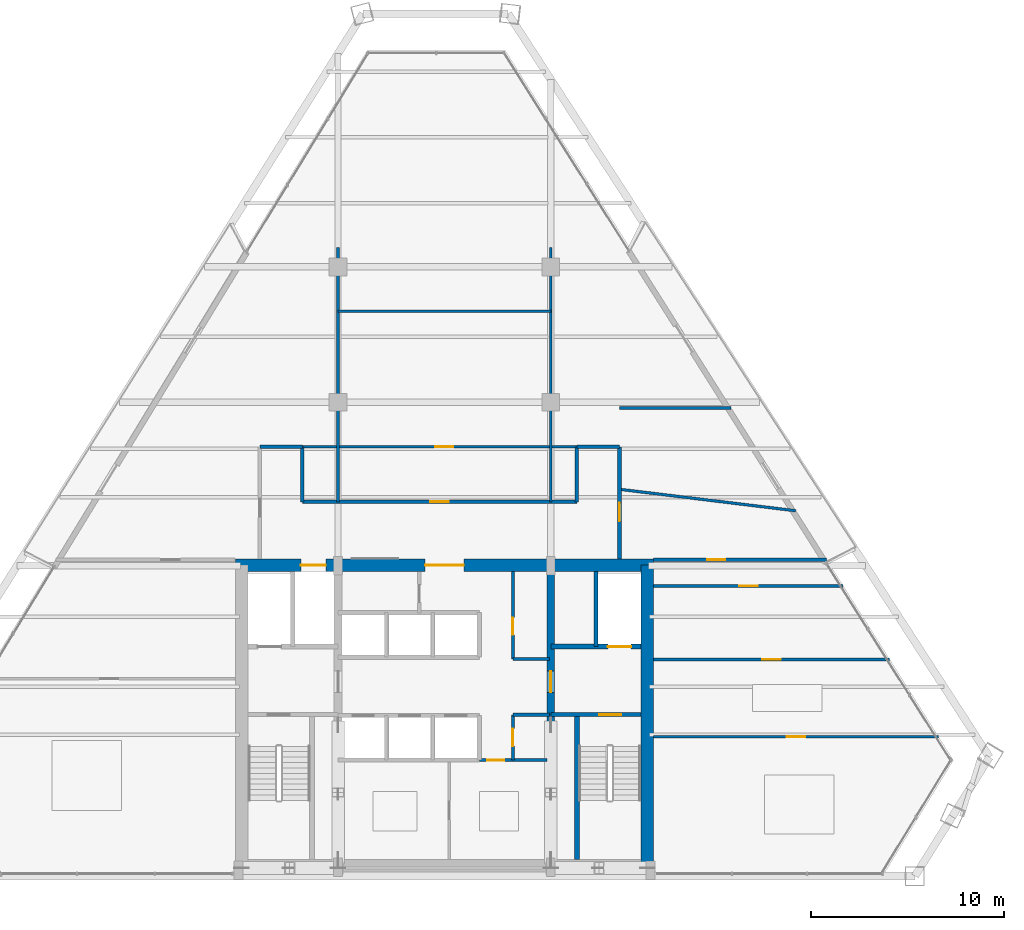
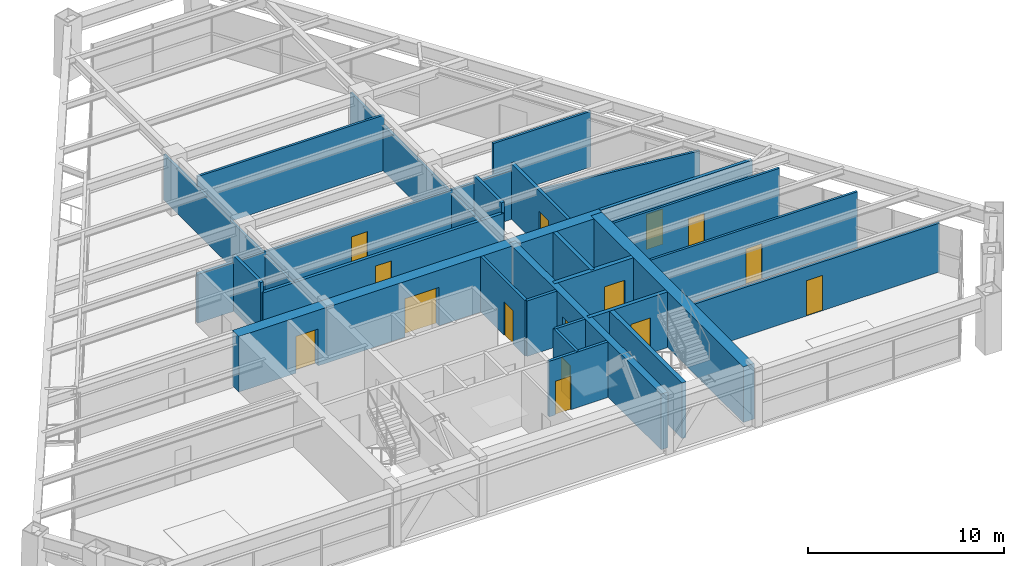
# One storey, part 10 of 13: 28 walls, 15 doors, 15 openings.
"""IFC4 building model written with IfcOpenShell, lengths in metres."""

from ifc_helpers import new_model, si_unit, direction, frame, frame_2d, origin, place, context, subcontext, project, spatial, rectangle, extrude, source, transform, mapped, material, layer, layer_set, type_object, type_shapes, element, fill, save


model = new_model("IFC4")

# Units and contexts
model_context = context("Model", 3, precision=1e-05, world=origin(), true_north=direction((0.0, 1.0)))
body_context = subcontext(model_context, "Body", "Model", "MODEL_VIEW")
ifc_project = project(units=[si_unit("LENGTHUNIT", "METRE"), si_unit("AREAUNIT", "SQUARE_METRE"), si_unit("VOLUMEUNIT", "CUBIC_METRE"), si_unit("PLANEANGLEUNIT", "RADIAN"), si_unit("MASSUNIT", "GRAM", prefix="KILO")], contexts=[model_context])

# Site, building, storey
site_placement = place(None, origin())
site = spatial("IfcSite", under=ifc_project, at=site_placement, CompositionType="ELEMENT")
building_placement = place(site_placement, origin())
building = spatial("IfcBuilding", under=site, at=building_placement, Name="Varnakhor Terracotta Tower", CompositionType="ELEMENT")
storey_placement = place(building_placement, frame((0.0, 0.0, 200.60009765625)))
storey = spatial("IfcBuildingStorey", under=building, at=storey_placement, Name="L51", CompositionType="ELEMENT", Elevation=200.60009765625)

# Wall, openings, doors
ifc_material_1 = material(Name="Concrete C50/60", Category="concrete")
ifc_layer_1 = layer(ifc_material_1, 0.64990234375, Name="Concrete C50/60")
ifc_layer_set_1 = layer_set([ifc_layer_1], Name="Concrete C50/60")
wall_type_1 = type_object("IfcWallType", Name="WAL-CORE-650", PredefinedType="SHEAR", material=ifc_layer_set_1)
wall_1_placement = place(storey_placement, frame((-10.800048828125, 16.074951171875, 0.0), z_axis=(0.0, 0.0, 1.0), x_axis=(1.0, 0.0, 0.0)))
wall_1 = element("IfcWall", 1, at=wall_1_placement, inside=storey, type_object=wall_type_1, Name="L51 North Core Shear Wall", PredefinedType="SHEAR", context=body_context, shape_type="SweptSolid", body=[
    extrude(rectangle(XDim=21.60009765625, YDim=0.64990234375, at=frame_2d((10.800048828125, 0.0))), origin(), (0.0, 0.0, 1.0), 3.469970703125),
])
opening_1_placement = place(wall_1_placement, frame((3.3701171875, 0.0, 0.0)))
opening_1 = element("IfcOpeningElement", 2, at=opening_1_placement, cuts=wall_1, Name="Opening LD-03", PredefinedType="OPENING", context=body_context, shape_type="SweptSolid", body=[
    extrude(rectangle(XDim=1.300048828125, YDim=2.300048828125, at=frame_2d((0.64990234375, 1.14990234375))), frame((0.0, 0.3349609375, 0.0), z_axis=(0.0, -1.0, 0.0), x_axis=(1.0, 0.0, 0.0)), (0.0, 0.0, 1.0), 0.669921875),
])
opening_2_placement = place(wall_1_placement, frame((9.800048828125, 0.0, 0.0)))
opening_2 = element("IfcOpeningElement", 3, at=opening_2_placement, cuts=wall_1, Name="Opening DR-32", PredefinedType="OPENING", context=body_context, shape_type="SweptSolid", body=[
    extrude(rectangle(XDim=2.0, YDim=2.39990234375, at=frame_2d((1.0, 1.199951171875))), frame((0.0, 0.3349609375, 0.0), z_axis=(0.0, -1.0, 0.0), x_axis=(1.0, 0.0, 0.0)), (0.0, 0.0, 1.0), 0.669921875),
])
ifc_material_2 = material(Name="Heavy-Duty Goods Sliding Lift Landing Door", Category="steel")
door_type_1 = type_object("IfcDoorType", Name="LD-SRV-1300X2300", OperationType="NOTDEFINED", PredefinedType="DOOR", material=ifc_material_2)
shared_shape_1 = source(origin(), body_context, "Body", "SweptSolid", [
    extrude(rectangle(XDim=1.300048828125, YDim=2.300048828125, at=frame_2d((0.64990234375, 1.14990234375))), frame((0.0, 0.02490234375, 0.0), z_axis=(0.0, -1.0, 0.0), x_axis=(1.0, 0.0, 0.0)), (0.0, 0.0, 1.0), 0.050048828125),
])
type_shapes(door_type_1, [shared_shape_1])
door_1_placement = place(opening_1_placement, origin())
door_1 = element("IfcDoor", 4, at=door_1_placement, inside=storey, type_object=door_type_1, Name="L51 Service Lift SVL-1 Landing Door", OperationType="SLIDING_TO_RIGHT", OverallHeight=2.300048828125, OverallWidth=1.300048828125, PredefinedType="DOOR", context=body_context, shape_type="MappedRepresentation", body=[
    mapped(shared_shape_1, transform((0.0, 0.0, 0.0), scale=1.0)),
])
fill(opening_1, door_1)
ifc_material_3 = material(Name="Acoustic Double Assembly Fire Door", Category="wood")
door_type_2 = type_object("IfcDoorType", Name="DR-HALL-2000X2400", OperationType="NOTDEFINED", PredefinedType="DOOR", material=ifc_material_3)
shared_shape_2 = source(origin(), body_context, "Body", "SweptSolid", [
    extrude(rectangle(XDim=2.0, YDim=2.39990234375, at=frame_2d((1.0, 1.199951171875))), frame((0.0, 0.02490234375, 0.0), z_axis=(0.0, -1.0, 0.0), x_axis=(1.0, 0.0, 0.0)), (0.0, 0.0, 1.0), 0.050048828125),
])
type_shapes(door_type_2, [shared_shape_2])
door_2_placement = place(opening_2_placement, origin())
door_2 = element("IfcDoor", 5, at=door_2_placement, inside=storey, type_object=door_type_2, Name="L51 Core Main Lobby Double Door", OperationType="DOUBLE_DOOR_SINGLE_SWING", OverallHeight=2.39990234375, OverallWidth=2.0, PredefinedType="DOOR", context=body_context, shape_type="MappedRepresentation", body=[
    mapped(shared_shape_2, transform((0.0, 0.0, 0.0), scale=1.0)),
])
fill(opening_2, door_2)

# Wall
wall_2_placement = place(storey_placement, frame((10.47509765625, 0.52490234375, 0.0), z_axis=(0.0, 0.0, 1.0), x_axis=(0.0, 1.0, 0.0)))
element("IfcWall", 6, at=wall_2_placement, inside=storey, type_object=wall_type_1, Name="L51 East Core Shear Wall", PredefinedType="SHEAR", context=body_context, shape_type="SweptSolid", body=[
    extrude(rectangle(XDim=15.550048828125, YDim=0.64990234375, at=frame_2d((7.77490234375, 0.0))), origin(), (0.0, 0.0, 1.0), 3.469970703125),
])

# Wall, opening, door
ifc_layer_2 = layer(ifc_material_1, 0.39990234375, Name="Concrete C50/60")
ifc_layer_set_2 = layer_set([ifc_layer_2], Name="Concrete C50/60")
wall_type_2 = type_object("IfcWallType", Name="WAL-CORE-WEB-400", PredefinedType="SHEAR", material=ifc_layer_set_2)
wall_3_placement = place(storey_placement, frame((5.5, 0.52490234375, 0.0), z_axis=(0.0, 0.0, 1.0), x_axis=(0.0, 1.0, 0.0)))
wall_3 = element("IfcWall", 7, at=wall_3_placement, inside=storey, type_object=wall_type_2, Name="L51 East Core Web Shear Wall", PredefinedType="SHEAR", context=body_context, shape_type="SweptSolid", body=[
    extrude(rectangle(XDim=15.550048828125, YDim=0.39990234375, at=frame_2d((7.77490234375, 0.0))), origin(), (0.0, 0.0, 1.0), 3.469970703125),
])
opening_3_placement = place(wall_3_placement, frame((8.97509765625, 0.0, 0.0)))
opening_3 = element("IfcOpeningElement", 8, at=opening_3_placement, cuts=wall_3, Name="Opening DR-25", PredefinedType="OPENING", context=body_context, shape_type="SweptSolid", body=[
    extrude(rectangle(XDim=1.10009765625, YDim=2.199951171875, at=frame_2d((0.550048828125, 1.10009765625))), frame((0.0, 0.2099609375, 0.0), z_axis=(0.0, -1.0, 0.0), x_axis=(1.0, 0.0, 0.0)), (0.0, 0.0, 1.0), 0.419921875),
])
ifc_material_4 = material(Name="Firefighting Lobby Self-Closing Fire Door", Category="steel")
door_type_3 = type_object("IfcDoorType", Name="DR-FFL-1100X2200", OperationType="NOTDEFINED", PredefinedType="DOOR", material=ifc_material_4)
shared_shape_3 = source(origin(), body_context, "Body", "SweptSolid", [
    extrude(rectangle(XDim=1.10009765625, YDim=2.199951171875, at=frame_2d((0.550048828125, 1.10009765625))), frame((0.0, 0.02490234375, 0.0), z_axis=(0.0, -1.0, 0.0), x_axis=(1.0, 0.0, 0.0)), (0.0, 0.0, 1.0), 0.050048828125),
])
type_shapes(door_type_3, [shared_shape_3])
door_3_placement = place(opening_3_placement, origin())
door_3 = element("IfcDoor", 9, at=door_3_placement, inside=storey, type_object=door_type_3, Name="L51 East Firefighting Lobby Door", OperationType="SINGLE_SWING_LEFT", OverallHeight=2.199951171875, OverallWidth=1.10009765625, PredefinedType="DOOR", context=body_context, shape_type="MappedRepresentation", body=[
    mapped(shared_shape_3, transform((0.0, 0.0, 0.0), scale=1.0)),
])
fill(opening_3, door_3)

ifc_material_5 = material(Name="Fire-Rated Gypsum Stud Partition", Category="gypsum")
ifc_layer_3 = layer(ifc_material_5, 0.18505859375, Name="Fire-Rated Gypsum Stud Partition")
ifc_layer_set_3 = layer_set([ifc_layer_3], Name="Fire-Rated Gypsum Stud Partition")
wall_type_3 = type_object("IfcWallType", Name="WAL-CORR-185", PredefinedType="PARTITIONING", material=ifc_layer_set_3)
wall_4_placement = place(storey_placement, frame((-7.35009765625, 19.35009765625, 0.0), z_axis=(0.0, 0.0, 1.0), x_axis=(1.0, 0.0, 0.0)))
wall_4 = element("IfcWall", 10, at=wall_4_placement, inside=storey, type_object=wall_type_3, Name="L51 Central Gallery Link Wall", PredefinedType="PARTITIONING", context=body_context, shape_type="SweptSolid", body=[
    extrude(rectangle(XDim=14.2001953125, YDim=0.18505859375, at=frame_2d((7.10009765625, 0.0))), origin(), (0.0, 0.0, 1.0), 2.845947265625),
])
opening_4_placement = place(wall_4_placement, frame((6.625, 0.0, 0.0)))
opening_4 = element("IfcOpeningElement", 11, at=opening_4_placement, cuts=wall_4, Name="Opening DR-94", PredefinedType="OPENING", context=body_context, shape_type="SweptSolid", body=[
    extrude(rectangle(XDim=0.949951171875, YDim=2.199951171875, at=frame_2d((0.47509765625, 1.10009765625))), frame((0.0, 0.1025390625, 0.0), z_axis=(0.0, -1.0, 0.0), x_axis=(1.0, 0.0, 0.0)), (0.0, 0.0, 1.0), 0.205078125),
])
ifc_material_6 = material(Name="Acoustic Glazed-Vision Timber Office Door", Category="wood")
door_type_4 = type_object("IfcDoorType", Name="DR-OFF-950X2200", OperationType="NOTDEFINED", PredefinedType="DOOR", material=ifc_material_6)
shared_shape_4 = source(origin(), body_context, "Body", "SweptSolid", [
    extrude(rectangle(XDim=0.949951171875, YDim=2.199951171875, at=frame_2d((0.47509765625, 1.10009765625))), frame((0.0, 0.02490234375, 0.0), z_axis=(0.0, -1.0, 0.0), x_axis=(1.0, 0.0, 0.0)), (0.0, 0.0, 1.0), 0.050048828125),
])
type_shapes(door_type_4, [shared_shape_4])
door_4_placement = place(opening_4_placement, origin())
door_4 = element("IfcDoor", 12, at=door_4_placement, inside=storey, type_object=door_type_4, Name="L51 Center Suite Door", OperationType="SINGLE_SWING_LEFT", OverallHeight=2.199951171875, OverallWidth=0.949951171875, PredefinedType="DOOR", context=body_context, shape_type="MappedRepresentation", body=[
    mapped(shared_shape_4, transform((0.0, 0.0, 0.0), scale=1.0)),
])
fill(opening_4, door_4)

# Walls
for number, where, z_axis, x_axis, name in (
    (13, (-7.35009765625, 19.35009765625, 0.0), (0.0, 0.0, 1.0), (0.0, 1.0, 0.0), "L51 West Gallery Inner Wall"),
    (14, (6.85009765625, 19.35009765625, 0.0), (0.0, 0.0, 1.0), (0.0, 1.0, 0.0), "L51 East Gallery Inner Wall"),
):
    element("IfcWall", number, at=place(storey_placement, frame(where, z_axis=z_axis, x_axis=x_axis)), inside=storey, type_object=wall_type_3, Name=name, PredefinedType="PARTITIONING", context=body_context, shape_type="SweptSolid", body=[
        extrude(rectangle(XDim=2.849853515625, YDim=0.18505859375, at=frame_2d((1.4248046875, 0.0))), origin(), (0.0, 0.0, 1.0), 3.4619140625),
    ])

# Wall, opening, door
wall_5_placement = place(storey_placement, frame((9.050048828125, 16.39990234375, 0.0), z_axis=(0.0, 0.0, 1.0), x_axis=(0.0, 1.0, 0.0)))
wall_5 = element("IfcWall", 15, at=wall_5_placement, inside=storey, type_object=wall_type_3, Name="L51 East Gallery Outer Wall", PredefinedType="PARTITIONING", context=body_context, shape_type="SweptSolid", body=[
    extrude(rectangle(XDim=5.800048828125, YDim=0.18505859375, at=frame_2d((2.89990234375, 0.0))), origin(), (0.0, 0.0, 1.0), 3.4619140625),
])
opening_5_placement = place(wall_5_placement, frame((1.94287109375, 0.0, 0.0)))
opening_5 = element("IfcOpeningElement", 16, at=opening_5_placement, cuts=wall_5, Name="Opening DR-94", PredefinedType="OPENING", context=body_context, shape_type="SweptSolid", body=[
    extrude(rectangle(XDim=0.949951171875, YDim=2.199951171875, at=frame_2d((0.47509765625, 1.10009765625))), frame((0.0, 0.1025390625, 0.0), z_axis=(0.0, -1.0, 0.0), x_axis=(1.0, 0.0, 0.0)), (0.0, 0.0, 1.0), 0.205078125),
])
door_5_placement = place(opening_5_placement, origin())
door_5 = element("IfcDoor", 17, at=door_5_placement, inside=storey, type_object=door_type_4, Name="L51 East Wing Door", OperationType="SINGLE_SWING_LEFT", OverallHeight=2.199951171875, OverallWidth=0.949951171875, PredefinedType="DOOR", context=body_context, shape_type="MappedRepresentation", body=[
    mapped(shared_shape_4, transform((0.0, 0.0, 0.0), scale=1.0)),
])
fill(opening_5, door_5)

# Walls
for number, where, z_axis, x_axis, name in (
    (18, (-9.550048828125, 22.199951171875, 0.0), (0.0, 0.0, 1.0), (1.0, 0.0, 0.0), "L51 West Gallery North End"),
    (19, (6.85009765625, 22.199951171875, 0.0), (0.0, 0.0, 1.0), (1.0, 0.0, 0.0), "L51 East Gallery North End"),
):
    element("IfcWall", number, at=place(storey_placement, frame(where, z_axis=z_axis, x_axis=x_axis)), inside=storey, type_object=wall_type_3, Name=name, PredefinedType="PARTITIONING", context=body_context, shape_type="SweptSolid", body=[
        extrude(rectangle(XDim=2.199951171875, YDim=0.18505859375, at=frame_2d((1.10009765625, 0.0))), origin(), (0.0, 0.0, 1.0), 3.048828125),
    ])

# Wall, opening, door
wall_6_placement = place(storey_placement, frame((10.820068359375, 16.35009765625, 0.0), z_axis=(0.0, 0.0, 1.0), x_axis=(1.0, 0.0, 0.0)))
wall_6 = element("IfcWall", 20, at=wall_6_placement, inside=storey, type_object=wall_type_3, Name="L51 South East Entry Wall", PredefinedType="PARTITIONING", context=body_context, shape_type="SweptSolid", body=[
    extrude(rectangle(XDim=8.9443359375, YDim=0.18505859375, at=frame_2d((4.47216796875, 0.0))), origin(), (0.0, 0.0, 1.0), 3.4619140625),
])
opening_6_placement = place(wall_6_placement, frame((2.757568359375, 0.0, 0.0)))
opening_6 = element("IfcOpeningElement", 21, at=opening_6_placement, cuts=wall_6, Name="Opening DR-94", PredefinedType="OPENING", context=body_context, shape_type="SweptSolid", body=[
    extrude(rectangle(XDim=0.949951171875, YDim=2.199951171875, at=frame_2d((0.47509765625, 1.10009765625))), frame((0.0, 0.1025390625, 0.0), z_axis=(0.0, -1.0, 0.0), x_axis=(1.0, 0.0, 0.0)), (0.0, 0.0, 1.0), 0.205078125),
])
door_6_placement = place(opening_6_placement, origin())
door_6 = element("IfcDoor", 22, at=door_6_placement, inside=storey, type_object=door_type_4, Name="L51 SE Suite Door", OperationType="SINGLE_SWING_LEFT", OverallHeight=2.199951171875, OverallWidth=0.949951171875, PredefinedType="DOOR", context=body_context, shape_type="MappedRepresentation", body=[
    mapped(shared_shape_4, transform((0.0, 0.0, 0.0), scale=1.0)),
])
fill(opening_6, door_6)

ifc_material_7 = material(Name="Concrete C40/50", Category="concrete")
ifc_layer_4 = layer(ifc_material_7, 0.219970703125, Name="Concrete C40/50")
ifc_layer_set_4 = layer_set([ifc_layer_4], Name="Concrete C40/50")
wall_type_4 = type_object("IfcWallType", Name="WAL-FFLOBBY-220", PredefinedType="SOLIDWALL", material=ifc_layer_set_4)
wall_7_placement = place(storey_placement, frame((10.14990234375, 8.35009765625, 0.0), z_axis=(0.0, 0.0, 1.0), x_axis=(-1.0, 0.0, 0.0)))
wall_7 = element("IfcWall", 23, at=wall_7_placement, inside=storey, type_object=wall_type_4, Name="L51 East Firefighting Lobby Stair Wall", PredefinedType="SOLIDWALL", context=body_context, shape_type="SweptSolid", body=[
    extrude(rectangle(XDim=4.64990234375, YDim=0.219970703125, at=frame_2d((2.324951171875, 0.0))), origin(), (0.0, 0.0, 1.0), 3.469970703125),
])
opening_7_placement = place(wall_7_placement, frame((1.0, 0.0, 0.0)))
opening_7 = element("IfcOpeningElement", 24, at=opening_7_placement, cuts=wall_7, Name="Opening DR-34", PredefinedType="OPENING", context=body_context, shape_type="SweptSolid", body=[
    extrude(rectangle(XDim=1.14990234375, YDim=2.199951171875, at=frame_2d((0.574951171875, 1.10009765625))), frame((0.0, 0.1201171875, 0.0), z_axis=(0.0, -1.0, 0.0), x_axis=(1.0, 0.0, 0.0)), (0.0, 0.0, 1.0), 0.239990234375),
])
ifc_material_8 = material(Name="Self-Closing Smoke-Sealed Steel Fire Door", Category="steel")
door_type_5 = type_object("IfcDoorType", Name="DR-STAIR-1150X2200", OperationType="NOTDEFINED", PredefinedType="DOOR", material=ifc_material_8)
shared_shape_5 = source(origin(), body_context, "Body", "SweptSolid", [
    extrude(rectangle(XDim=1.14990234375, YDim=2.199951171875, at=frame_2d((0.574951171875, 1.10009765625))), frame((0.0, 0.02490234375, 0.0), z_axis=(0.0, -1.0, 0.0), x_axis=(1.0, 0.0, 0.0)), (0.0, 0.0, 1.0), 0.050048828125),
])
type_shapes(door_type_5, [shared_shape_5])
door_7_placement = place(opening_7_placement, origin())
door_7 = element("IfcDoor", 25, at=door_7_placement, inside=storey, type_object=door_type_5, Name="L51 Exit Stair ST-2 Fire Door", OperationType="SINGLE_SWING_RIGHT", OverallHeight=2.199951171875, OverallWidth=1.14990234375, PredefinedType="DOOR", context=body_context, shape_type="MappedRepresentation", body=[
    mapped(shared_shape_5, transform((0.0, 0.0, 0.0), scale=1.0)),
])
fill(opening_7, door_7)

ifc_material_9 = material(Name="Acoustic Metal-Stud Partition", Category="gypsum")
ifc_layer_5 = layer(ifc_material_9, 0.139892578125, Name="Acoustic Metal-Stud Partition")
ifc_layer_set_5 = layer_set([ifc_layer_5], Name="Acoustic Metal-Stud Partition")
wall_type_5 = type_object("IfcWallType", Name="WAL-PART-140", PredefinedType="PARTITIONING", material=ifc_layer_set_5)
wall_8_placement = place(storey_placement, frame((-7.35009765625, 22.199951171875, 0.0), z_axis=(0.0, 0.0, 1.0), x_axis=(1.0, 0.0, 0.0)))
wall_8 = element("IfcWall", 26, at=wall_8_placement, inside=storey, type_object=wall_type_5, Name="L51 Gallery Center Cap Wall", PredefinedType="PARTITIONING", context=body_context, shape_type="SweptSolid", body=[
    extrude(rectangle(XDim=14.2001953125, YDim=0.139892578125, at=frame_2d((7.10009765625, 0.0))), origin(), (0.0, 0.0, 1.0), 3.048828125),
])
opening_8_placement = place(wall_8_placement, frame((6.863037109375, 0.0, 0.0)))
opening_8 = element("IfcOpeningElement", 27, at=opening_8_placement, cuts=wall_8, Name="Opening DR-94", PredefinedType="OPENING", context=body_context, shape_type="SweptSolid", body=[
    extrude(rectangle(XDim=0.949951171875, YDim=2.199951171875, at=frame_2d((0.47509765625, 1.10009765625))), frame((0.0, 0.080078125, 0.0), z_axis=(0.0, -1.0, 0.0), x_axis=(1.0, 0.0, 0.0)), (0.0, 0.0, 1.0), 0.159912109375),
])
door_8_placement = place(opening_8_placement, origin())
door_8 = element("IfcDoor", 28, at=door_8_placement, inside=storey, type_object=door_type_4, Name="L51 Seminar Meeting Room 1 Door", OperationType="SINGLE_SWING_RIGHT", OverallHeight=2.199951171875, OverallWidth=0.949951171875, PredefinedType="DOOR", context=body_context, shape_type="MappedRepresentation", body=[
    mapped(shared_shape_4, transform((0.0, 0.0, 0.0), scale=1.0)),
])
fill(opening_8, door_8)

# Walls
for number, where, z_axis, x_axis, name in (
    (29, (-5.5, 19.35009765625, 0.0), (0.0, 0.0, 1.0), (0.0, 1.0, 0.0), "L51 Center West Column Wall"),
    (30, (5.5, 19.35009765625, 0.0), (0.0, 0.0, 1.0), (0.0, 1.0, 0.0), "L51 Center East Column Wall"),
):
    element("IfcWall", number, at=place(storey_placement, frame(where, z_axis=z_axis, x_axis=x_axis)), inside=storey, type_object=wall_type_5, Name=name, PredefinedType="PARTITIONING", context=body_context, shape_type="SweptSolid", body=[
        extrude(rectangle(XDim=13.14990234375, YDim=0.139892578125, at=frame_2d((6.574951171875, 0.0))), origin(), (0.0, 0.0, 1.0), 2.845947265625),
    ])
wall_9_placement = place(storey_placement, frame((-5.5, 29.199951171875, 0.0), z_axis=(0.0, 0.0, 1.0), x_axis=(1.0, 0.0, 0.0)))
element("IfcWall", 31, at=wall_9_placement, inside=storey, type_object=wall_type_5, Name="L51 Center Cross Cut 1", PredefinedType="PARTITIONING", context=body_context, shape_type="SweptSolid", body=[
    extrude(rectangle(XDim=11.0, YDim=0.139892578125, at=frame_2d((5.5, 0.0))), origin(), (0.0, 0.0, 1.0), 3.4619140625),
])

# Wall, opening, door
wall_10_placement = place(storey_placement, frame((10.820068359375, 7.199951171875, 0.0), z_axis=(0.0, 0.0, 1.0), x_axis=(1.0, 0.0, 0.0)))
wall_10 = element("IfcWall", 32, at=wall_10_placement, inside=storey, type_object=wall_type_5, Name="L51 East Wing Cut 1", PredefinedType="PARTITIONING", context=body_context, shape_type="SweptSolid", body=[
    extrude(rectangle(XDim=14.721435546875, YDim=0.139892578125, at=frame_2d((7.36083984375, 0.0))), origin(), (0.0, 0.0, 1.0), 3.048828125),
])
opening_9_placement = place(wall_10_placement, frame((6.87841796875, 0.0, 0.0)))
opening_9 = element("IfcOpeningElement", 33, at=opening_9_placement, cuts=wall_10, Name="Opening DR-94", PredefinedType="OPENING", context=body_context, shape_type="SweptSolid", body=[
    extrude(rectangle(XDim=0.949951171875, YDim=2.199951171875, at=frame_2d((0.47509765625, 1.10009765625))), frame((0.0, 0.080078125, 0.0), z_axis=(0.0, -1.0, 0.0), x_axis=(1.0, 0.0, 0.0)), (0.0, 0.0, 1.0), 0.159912109375),
])
door_9_placement = place(opening_9_placement, origin())
door_9 = element("IfcDoor", 34, at=door_9_placement, inside=storey, type_object=door_type_4, Name="L51 Fitness Yoga Gym 1 SE Door", OperationType="SINGLE_SWING_RIGHT", OverallHeight=2.199951171875, OverallWidth=0.949951171875, PredefinedType="DOOR", context=body_context, shape_type="MappedRepresentation", body=[
    mapped(shared_shape_4, transform((0.0, 0.0, 0.0), scale=1.0)),
])
fill(opening_9, door_9)

wall_11_placement = place(storey_placement, frame((10.820068359375, 11.199951171875, 0.0), z_axis=(0.0, 0.0, 1.0), x_axis=(1.0, 0.0, 0.0)))
wall_11 = element("IfcWall", 35, at=wall_11_placement, inside=storey, type_object=wall_type_5, Name="L51 East Wing Cut 2", PredefinedType="PARTITIONING", context=body_context, shape_type="SweptSolid", body=[
    extrude(rectangle(XDim=12.19580078125, YDim=0.139892578125, at=frame_2d((6.097900390625, 0.0))), origin(), (0.0, 0.0, 1.0), 3.4619140625),
])
opening_10_placement = place(wall_11_placement, frame((5.61572265625, 0.0, 0.0)))
opening_10 = element("IfcOpeningElement", 36, at=opening_10_placement, cuts=wall_11, Name="Opening DR-94", PredefinedType="OPENING", context=body_context, shape_type="SweptSolid", body=[
    extrude(rectangle(XDim=0.949951171875, YDim=2.199951171875, at=frame_2d((0.47509765625, 1.10009765625))), frame((0.0, 0.080078125, 0.0), z_axis=(0.0, -1.0, 0.0), x_axis=(1.0, 0.0, 0.0)), (0.0, 0.0, 1.0), 0.159912109375),
])
door_10_placement = place(opening_10_placement, origin())
door_10 = element("IfcDoor", 37, at=door_10_placement, inside=storey, type_object=door_type_4, Name="L51 Staff Dining Kitchen 1 B3 Door", OperationType="SINGLE_SWING_LEFT", OverallHeight=2.199951171875, OverallWidth=0.949951171875, PredefinedType="DOOR", context=body_context, shape_type="MappedRepresentation", body=[
    mapped(shared_shape_4, transform((0.0, 0.0, 0.0), scale=1.0)),
])
fill(opening_10, door_10)

wall_12_placement = place(storey_placement, frame((10.820068359375, 15.0, 0.0), z_axis=(0.0, 0.0, 1.0), x_axis=(1.0, 0.0, 0.0)))
wall_12 = element("IfcWall", 38, at=wall_12_placement, inside=storey, type_object=wall_type_5, Name="L51 East Wing Cut 3", PredefinedType="PARTITIONING", context=body_context, shape_type="SweptSolid", body=[
    extrude(rectangle(XDim=9.796630859375, YDim=0.139892578125, at=frame_2d((4.8984375, 0.0))), origin(), (0.0, 0.0, 1.0), 3.4619140625),
])
opening_11_placement = place(wall_12_placement, frame((4.416015625, 0.0, 0.0)))
opening_11 = element("IfcOpeningElement", 39, at=opening_11_placement, cuts=wall_12, Name="Opening DR-94", PredefinedType="OPENING", context=body_context, shape_type="SweptSolid", body=[
    extrude(rectangle(XDim=0.949951171875, YDim=2.199951171875, at=frame_2d((0.47509765625, 1.10009765625))), frame((0.0, 0.080078125, 0.0), z_axis=(0.0, -1.0, 0.0), x_axis=(1.0, 0.0, 0.0)), (0.0, 0.0, 1.0), 0.159912109375),
])
door_11_placement = place(opening_11_placement, origin())
door_11 = element("IfcDoor", 40, at=door_11_placement, inside=storey, type_object=door_type_4, Name="L51 Juice Bar Kitchen 2 B4 Door", OperationType="SINGLE_SWING_LEFT", OverallHeight=2.199951171875, OverallWidth=0.949951171875, PredefinedType="DOOR", context=body_context, shape_type="MappedRepresentation", body=[
    mapped(shared_shape_4, transform((0.0, 0.0, 0.0), scale=1.0)),
])
fill(opening_11, door_11)

# Walls
wall_13_placement = place(storey_placement, frame((9.050048828125, 20.0, 0.0), z_axis=(0.0, 0.0, 1.0), x_axis=(0.992652190929, -0.121002594366, 0.0)))
element("IfcWall", 41, at=wall_13_placement, inside=storey, type_object=wall_type_5, Name="L51 East Wing Cut 4", PredefinedType="PARTITIONING", context=body_context, shape_type="SweptSolid", body=[
    extrude(rectangle(XDim=9.17822265625, YDim=0.139892578125, at=frame_2d((4.589111328125, 0.0))), origin(), (0.0, 0.0, 1.0), 3.048828125),
])
wall_14_placement = place(storey_placement, frame((9.050048828125, 24.199951171875, 0.0), z_axis=(0.0, 0.0, 1.0), x_axis=(1.0, 0.0, 0.0)))
element("IfcWall", 42, at=wall_14_placement, inside=storey, type_object=wall_type_5, Name="L51 East Wing Cut 5", PredefinedType="PARTITIONING", context=body_context, shape_type="SweptSolid", body=[
    extrude(rectangle(XDim=5.7578125, YDim=0.139892578125, at=frame_2d((2.87890625, 0.0))), origin(), (0.0, 0.0, 1.0), 3.4619140625),
])
ifc_layer_6 = layer(ifc_material_7, 0.219970703125, Name="Concrete C40/50")
ifc_layer_set_6 = layer_set([ifc_layer_6], Name="Concrete C40/50")
wall_type_6 = type_object("IfcWallType", Name="WAL-SHAFT-220", PredefinedType="SOLIDWALL", material=ifc_layer_set_6)
wall_15_placement = place(storey_placement, frame((7.840087890625, 11.8701171875, 0.0), z_axis=(0.0, 0.0, 1.0), x_axis=(0.0, 1.0, 0.0)))
element("IfcWall", 43, at=wall_15_placement, inside=storey, type_object=wall_type_6, Name="L51 Lift FFL-2 and Riser Divider Wall", PredefinedType="SOLIDWALL", context=body_context, shape_type="SweptSolid", body=[
    extrude(rectangle(XDim=3.8798828125, YDim=0.219970703125, at=frame_2d((1.93994140625, 0.0))), origin(), (0.0, 0.0, 1.0), 3.469970703125),
])
ifc_layer_7 = layer(ifc_material_7, 0.25, Name="Concrete C40/50")
ifc_layer_set_7 = layer_set([ifc_layer_7], Name="Concrete C40/50")
wall_type_7 = type_object("IfcWallType", Name="WAL-SHAFT-250", PredefinedType="SOLIDWALL", material=ifc_layer_set_7)
wall_16_placement = place(storey_placement, frame((6.85009765625, 0.85009765625, 0.0), z_axis=(0.0, 0.0, 1.0), x_axis=(0.0, 1.0, 0.0)))
element("IfcWall", 44, at=wall_16_placement, inside=storey, type_object=wall_type_7, Name="L51 Stair ST-2 Bearing Shaft Wall", PredefinedType="SOLIDWALL", context=body_context, shape_type="SweptSolid", body=[
    extrude(rectangle(XDim=7.5, YDim=0.25, at=frame_2d((3.75, 0.0))), origin(), (0.0, 0.0, 1.0), 3.469970703125),
])

# Wall, opening, door
wall_17_placement = place(storey_placement, frame((10.14990234375, 11.8701171875, 0.0), z_axis=(0.0, 0.0, 1.0), x_axis=(-1.0, 0.0, 0.0)))
wall_17 = element("IfcWall", 45, at=wall_17_placement, inside=storey, type_object=wall_type_7, Name="L51 Lift FFL-2 Shaft Front Wall", PredefinedType="SOLIDWALL", context=body_context, shape_type="SweptSolid", body=[
    extrude(rectangle(XDim=4.64990234375, YDim=0.25, at=frame_2d((2.324951171875, 0.0))), origin(), (0.0, 0.0, 1.0), 3.469970703125),
])
opening_12_placement = place(wall_17_placement, frame((0.5, 0.0, 0.0)))
opening_12 = element("IfcOpeningElement", 46, at=opening_12_placement, cuts=wall_17, Name="Opening LD-02", PredefinedType="OPENING", context=body_context, shape_type="SweptSolid", body=[
    extrude(rectangle(XDim=1.199951171875, YDim=2.25, at=frame_2d((0.60009765625, 1.125))), frame((0.0, 0.135009765625, 0.0), z_axis=(0.0, -1.0, 0.0), x_axis=(1.0, 0.0, 0.0)), (0.0, 0.0, 1.0), 0.27001953125),
])
ifc_material_10 = material(Name="Firefighting Stretcher Sliding Lift Landing Door", Category="steel")
door_type_6 = type_object("IfcDoorType", Name="LD-FFL-1200X2250", OperationType="NOTDEFINED", PredefinedType="DOOR", material=ifc_material_10)
shared_shape_6 = source(origin(), body_context, "Body", "SweptSolid", [
    extrude(rectangle(XDim=1.199951171875, YDim=2.25, at=frame_2d((0.60009765625, 1.125))), frame((0.0, 0.02490234375, 0.0), z_axis=(0.0, -1.0, 0.0), x_axis=(1.0, 0.0, 0.0)), (0.0, 0.0, 1.0), 0.050048828125),
])
type_shapes(door_type_6, [shared_shape_6])
door_12_placement = place(opening_12_placement, origin())
door_12 = element("IfcDoor", 47, at=door_12_placement, inside=storey, type_object=door_type_6, Name="L51 Firefighting Lift FFL-2 Landing Door", OperationType="SLIDING_TO_RIGHT", OverallHeight=2.25, OverallWidth=1.199951171875, PredefinedType="DOOR", context=body_context, shape_type="MappedRepresentation", body=[
    mapped(shared_shape_6, transform((0.0, 0.0, 0.0), scale=1.0)),
])
fill(opening_12, door_12)

ifc_material_11 = material(Name="Acoustic Fire-Rated Partition", Category="gypsum")
ifc_layer_8 = layer(ifc_material_11, 0.1650390625, Name="Acoustic Fire-Rated Partition")
ifc_layer_set_8 = layer_set([ifc_layer_8], Name="Acoustic Fire-Rated Partition")
wall_type_8 = type_object("IfcWallType", Name="WAL-TENANCY-165", PredefinedType="PARTITIONING", material=ifc_layer_set_8)
wall_18_placement = place(storey_placement, frame((1.820068359375, 6.0, 0.0), z_axis=(0.0, 0.0, 1.0), x_axis=(1.0, 0.0, 0.0)))
wall_18 = element("IfcWall", 48, at=wall_18_placement, inside=storey, type_object=wall_type_8, Name="L51 Reclaimed Core Bay North Rated Wall", PredefinedType="PARTITIONING", context=body_context, shape_type="SweptSolid", body=[
    extrude(rectangle(XDim=3.47998046875, YDim=0.1650390625, at=frame_2d((1.739990234375, 0.0))), origin(), (0.0, 0.0, 1.0), 3.4619140625),
])
opening_13_placement = place(wall_18_placement, frame((0.3798828125, 0.0, 0.0)))
opening_13 = element("IfcOpeningElement", 49, at=opening_13_placement, cuts=wall_18, Name="Opening DR-67", PredefinedType="OPENING", context=body_context, shape_type="SweptSolid", body=[
    extrude(rectangle(XDim=0.89990234375, YDim=2.10009765625, at=frame_2d((0.449951171875, 1.050048828125))), frame((0.0, 0.092529296875, 0.0), z_axis=(0.0, -1.0, 0.0), x_axis=(1.0, 0.0, 0.0)), (0.0, 0.0, 1.0), 0.18505859375),
])
ifc_material_12 = material(Name="Steel Service Riser Fire Door", Category="steel")
door_type_7 = type_object("IfcDoorType", Name="DR-RISER-900X2100", OperationType="NOTDEFINED", PredefinedType="DOOR", material=ifc_material_12)
shared_shape_7 = source(origin(), body_context, "Body", "SweptSolid", [
    extrude(rectangle(XDim=0.89990234375, YDim=2.10009765625, at=frame_2d((0.449951171875, 1.050048828125))), frame((0.0, 0.02490234375, 0.0), z_axis=(0.0, -1.0, 0.0), x_axis=(1.0, 0.0, 0.0)), (0.0, 0.0, 1.0), 0.050048828125),
])
type_shapes(door_type_7, [shared_shape_7])
door_13_placement = place(opening_13_placement, origin())
door_13 = element("IfcDoor", 50, at=door_13_placement, inside=storey, type_object=door_type_7, Name="L51 Core Reclaimed Suite Door", OperationType="SINGLE_SWING_RIGHT", OverallHeight=2.10009765625, OverallWidth=0.89990234375, PredefinedType="DOOR", context=body_context, shape_type="MappedRepresentation", body=[
    mapped(shared_shape_7, transform((0.0, 0.0, 0.0), scale=1.0)),
])
fill(opening_13, door_13)

wall_19_placement = place(storey_placement, frame((3.5400390625, 6.0, 0.0), z_axis=(0.0, 0.0, 1.0), x_axis=(0.0, 1.0, 0.0)))
wall_19 = element("IfcWall", 51, at=wall_19_placement, inside=storey, type_object=wall_type_8, Name="L51 Accessible WC Rated Wall", PredefinedType="PARTITIONING", context=body_context, shape_type="SweptSolid", body=[
    extrude(rectangle(XDim=2.340087890625, YDim=0.1650390625, at=frame_2d((1.169921875, 0.0))), origin(), (0.0, 0.0, 1.0), 3.4619140625),
])
opening_14_placement = place(wall_19_placement, frame((0.719970703125, 0.0, 0.0)))
opening_14 = element("IfcOpeningElement", 52, at=opening_14_placement, cuts=wall_19, Name="Opening DR-67", PredefinedType="OPENING", context=body_context, shape_type="SweptSolid", body=[
    extrude(rectangle(XDim=0.89990234375, YDim=2.10009765625, at=frame_2d((0.449951171875, 1.050048828125))), frame((0.0, 0.092529296875, 0.0), z_axis=(0.0, -1.0, 0.0), x_axis=(1.0, 0.0, 0.0)), (0.0, 0.0, 1.0), 0.18505859375),
])
door_14_placement = place(opening_14_placement, origin())
door_14 = element("IfcDoor", 53, at=door_14_placement, inside=storey, type_object=door_type_7, Name="L51 Accessible WC Door", OperationType="SINGLE_SWING_RIGHT", OverallHeight=2.10009765625, OverallWidth=0.89990234375, PredefinedType="DOOR", context=body_context, shape_type="MappedRepresentation", body=[
    mapped(shared_shape_7, transform((0.0, 0.0, 0.0), scale=1.0)),
])
fill(opening_14, door_14)

# Wall
wall_20_placement = place(storey_placement, frame((3.5400390625, 8.340087890625, 0.0), z_axis=(0.0, 0.0, 1.0), x_axis=(1.0, 0.0, 0.0)))
element("IfcWall", 54, at=wall_20_placement, inside=storey, type_object=wall_type_8, Name="L51 Accessible WC North Wall", PredefinedType="PARTITIONING", context=body_context, shape_type="SweptSolid", body=[
    extrude(rectangle(XDim=1.8798828125, YDim=0.1650390625, at=frame_2d((0.93994140625, 0.0))), origin(), (0.0, 0.0, 1.0), 3.4619140625),
])

# Wall, opening, door
wall_21_placement = place(storey_placement, frame((3.5400390625, 11.219970703125, 0.0), z_axis=(0.0, 0.0, 1.0), x_axis=(0.0, 1.0, 0.0)))
wall_21 = element("IfcWall", 55, at=wall_21_placement, inside=storey, type_object=wall_type_8, Name="L51 Restroom Corridor Wall", PredefinedType="PARTITIONING", context=body_context, shape_type="SweptSolid", body=[
    extrude(rectangle(XDim=4.530029296875, YDim=0.1650390625, at=frame_2d((2.26513671875, 0.0))), origin(), (0.0, 0.0, 1.0), 3.4619140625),
])
opening_15_placement = place(wall_21_placement, frame((1.25, 0.0, 0.0)))
opening_15 = element("IfcOpeningElement", 56, at=opening_15_placement, cuts=wall_21, Name="Opening DR-67", PredefinedType="OPENING", context=body_context, shape_type="SweptSolid", body=[
    extrude(rectangle(XDim=0.89990234375, YDim=2.10009765625, at=frame_2d((0.449951171875, 1.050048828125))), frame((0.0, 0.092529296875, 0.0), z_axis=(0.0, -1.0, 0.0), x_axis=(1.0, 0.0, 0.0)), (0.0, 0.0, 1.0), 0.18505859375),
])
door_15_placement = place(opening_15_placement, origin())
door_15 = element("IfcDoor", 57, at=door_15_placement, inside=storey, type_object=door_type_7, Name="L51 Female WC Door", OperationType="SINGLE_SWING_RIGHT", OverallHeight=2.10009765625, OverallWidth=0.89990234375, PredefinedType="DOOR", context=body_context, shape_type="MappedRepresentation", body=[
    mapped(shared_shape_7, transform((0.0, 0.0, 0.0), scale=1.0)),
])
fill(opening_15, door_15)

# Wall
wall_22_placement = place(storey_placement, frame((3.5400390625, 11.219970703125, 0.0), z_axis=(0.0, 0.0, 1.0), x_axis=(1.0, 0.0, 0.0)))
element("IfcWall", 58, at=wall_22_placement, inside=storey, type_object=wall_type_8, Name="L51 Restroom South Wall", PredefinedType="PARTITIONING", context=body_context, shape_type="SweptSolid", body=[
    extrude(rectangle(XDim=1.8798828125, YDim=0.1650390625, at=frame_2d((0.93994140625, 0.0))), origin(), (0.0, 0.0, 1.0), 3.4619140625),
])

save(model, "model.ifc")
